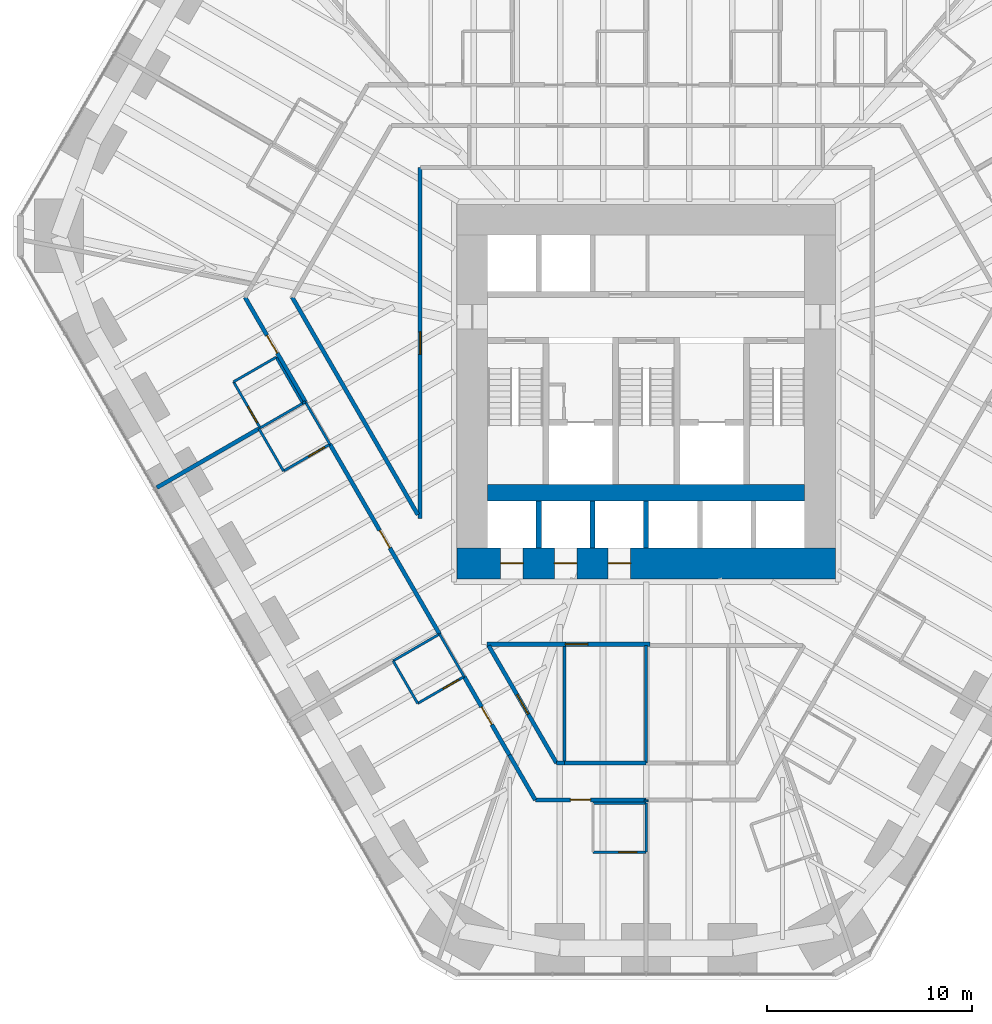
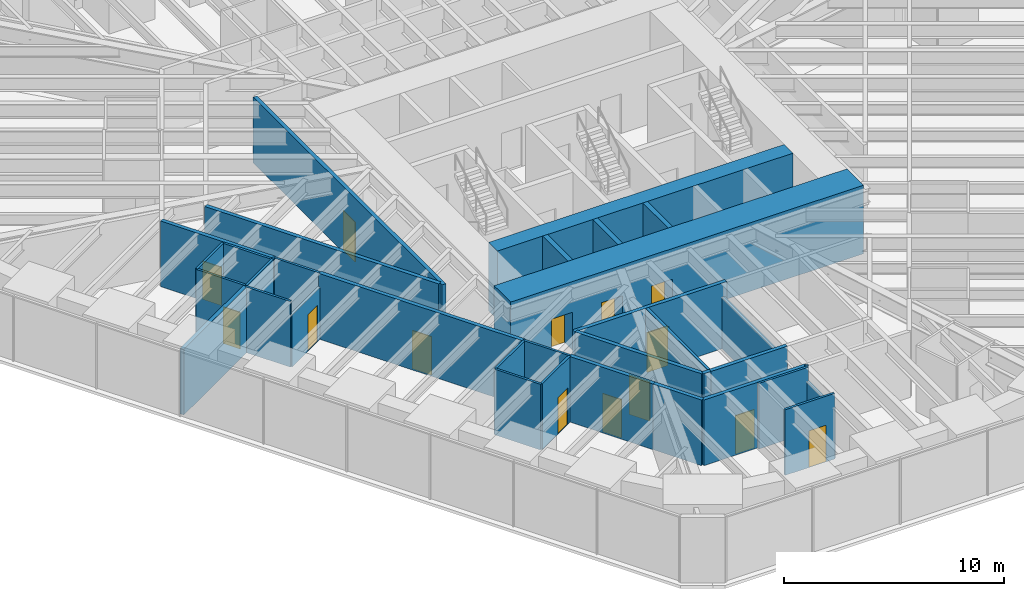
# One storey, part 11 of 17: 35 walls, 14 doors, 14 openings.
"""IFC4 building model written with IfcOpenShell, lengths in metres."""

from ifc_helpers import new_model, si_unit, direction, frame, frame_2d, origin, place, context, subcontext, project, spatial, rectangle, extrude, material, layer, layer_set, type_object, element, fill, save


model = new_model("IFC4")

# Units and contexts
model_context = context("Model", 3, precision=1e-05, world=origin(), true_north=direction((0.0, 1.0)))
body_context = subcontext(model_context, "Body", "Model", "MODEL_VIEW")
ifc_project = project(units=[si_unit("LENGTHUNIT", "METRE"), si_unit("AREAUNIT", "SQUARE_METRE"), si_unit("VOLUMEUNIT", "CUBIC_METRE"), si_unit("PLANEANGLEUNIT", "RADIAN"), si_unit("MASSUNIT", "GRAM", prefix="KILO")], contexts=[model_context])

# Site, building, storey
site_placement = place(None, origin())
site = spatial("IfcSite", under=ifc_project, at=site_placement, CompositionType="ELEMENT")
building_placement = place(site_placement, origin())
building = spatial("IfcBuilding", under=site, at=building_placement, Name="Sandreach Pilgrim Tower", CompositionType="ELEMENT")
storey_placement = place(building_placement, frame((0.0, 0.0, 45.800048828125)))
storey = spatial("IfcBuildingStorey", under=building, at=storey_placement, Name="L10", CompositionType="ELEMENT", Elevation=45.800048828125)

# Walls
ifc_material_1 = material(Name="Gypsum board on steel studs", Category="steel")
ifc_layer_1 = layer(ifc_material_1, 0.14990234375)
ifc_layer_set_1 = layer_set([ifc_layer_1], Name="Back of house wall 150")
wall_type_1 = type_object("IfcWallType", Name="Back of house wall 150", PredefinedType="PARTITIONING", material=ifc_layer_set_1)
wall_1_placement = place(storey_placement, frame((-4.0, -14.0, 0.0), z_axis=(0.0, 0.0, 1.0), x_axis=(0.0, -1.0, 0.0)))
element("IfcWall", 1, at=wall_1_placement, inside=storey, type_object=wall_type_1, Name="Back of house wall L10-051", PredefinedType="PARTITIONING", context=body_context, shape_type="SweptSolid", body=[
    extrude(rectangle(XDim=5.7099609375, YDim=0.14990234375, at=frame_2d((2.85498046875, 0.0))), origin(), (0.0, 0.0, 1.0), 3.639892578125),
])
wall_2_placement = place(storey_placement, frame((0.0, -13.949951171875, 0.0), z_axis=(0.0, 0.0, 1.0), x_axis=(0.0, -1.0, 0.0)))
element("IfcWall", 2, at=wall_2_placement, inside=storey, type_object=wall_type_1, Name="Back of house wall L10-062", PredefinedType="PARTITIONING", context=body_context, shape_type="SweptSolid", body=[
    extrude(rectangle(XDim=5.760009765625, YDim=0.14990234375, at=frame_2d((2.8798828125, 0.0))), origin(), (0.0, 0.0, 1.0), 2.860107421875),
])

# Wall, opening, door
ifc_material_2 = material(Name="Moisture-resistant gypsum board on steel studs", Category="steel")
ifc_layer_2 = layer(ifc_material_2, 0.1201171875)
ifc_layer_set_2 = layer_set([ifc_layer_2], Name="Bathroom partition 120")
wall_type_2 = type_object("IfcWallType", Name="Bathroom partition 120", PredefinedType="PARTITIONING", material=ifc_layer_set_2)
wall_3_placement = place(storey_placement, frame((-20.169921875, -1.070068359375, 0.0), z_axis=(0.0, 0.0, 1.0), x_axis=(0.500291685314, -0.865856933682, 0.0)))
wall_3 = element("IfcWall", 3, at=wall_3_placement, inside=storey, type_object=wall_type_2, Name="Bathroom partition L10-004", PredefinedType="PARTITIONING", context=body_context, shape_type="SweptSolid", body=[
    extrude(rectangle(XDim=2.5986328125, YDim=0.1201171875, at=frame_2d((1.29931640625, 0.0))), origin(), (0.0, 0.0, 1.0), 3.639892578125),
])
opening_1_placement = place(wall_3_placement, frame((1.398681640625, 0.0, 0.0)))
opening_1 = element("IfcOpeningElement", 4, at=opening_1_placement, cuts=wall_3, Name="Opening D09-14B", PredefinedType="OPENING", context=body_context, shape_type="SweptSolid", body=[
    extrude(rectangle(XDim=0.89990234375, YDim=2.030029296875, at=frame_2d((0.449951171875, 1.01513671875))), frame((0.0, 0.06005859375, 0.0), z_axis=(0.0, -1.0, 0.0), x_axis=(1.0, 0.0, 0.0)), (0.0, 0.0, 1.0), 0.1201171875),
])
ifc_material_3 = material(Name="Timber door, steel frame", Category="steel")
door_type_1 = type_object("IfcDoorType", Name="Bathroom door", OperationType="SINGLE_SWING_LEFT", PredefinedType="DOOR", material=ifc_material_3)
door_1_placement = place(opening_1_placement, origin())
door_1 = element("IfcDoor", 5, at=door_1_placement, inside=storey, type_object=door_type_1, Name="Door 1014B", OperationType="SINGLE_SWING_RIGHT", OverallHeight=2.030029296875, OverallWidth=0.89990234375, PredefinedType="DOOR", context=body_context, shape_type="SweptSolid", body=[
    extrude(rectangle(XDim=0.89990234375, YDim=2.030029296875, at=frame_2d((0.449951171875, 1.01513671875))), frame((0.0, 0.02490234375, 0.0), z_axis=(0.0, -1.0, 0.0), x_axis=(1.0, 0.0, 0.0)), (0.0, 0.0, 1.0), 0.050048828125),
])
fill(opening_1, door_1)

# Walls
wall_4_placement = place(storey_placement, frame((-18.929931640625, -3.360107421875, 0.0), z_axis=(0.0, 0.0, 1.0), x_axis=(0.501547039172, -0.865130376012, 0.0)))
element("IfcWall", 6, at=wall_4_placement, inside=storey, type_object=wall_type_2, Name="Bathroom partition L10-009", PredefinedType="PARTITIONING", context=body_context, shape_type="SweptSolid", body=[
    extrude(rectangle(XDim=2.392578125, YDim=0.1201171875, at=frame_2d((1.1962890625, 0.0))), origin(), (0.0, 0.0, 1.0), 3.639892578125),
])
wall_5_placement = place(storey_placement, frame((-18.86767578125, -3.323974609375, 0.0), z_axis=(0.0, 0.0, 1.0), x_axis=(0.866133109688, 0.499813401482, 0.0)))
element("IfcWall", 7, at=wall_5_placement, inside=storey, type_object=wall_type_2, Name="Bathroom partition L10-010", PredefinedType="PARTITIONING", context=body_context, shape_type="SweptSolid", body=[
    extrude(rectangle(XDim=2.4013671875, YDim=0.1201171875, at=frame_2d((1.20068359375, 0.0))), origin(), (0.0, 0.0, 1.0), 3.639892578125),
])
wall_6_placement = place(storey_placement, frame((-18.090087890625, 0.1298828125, 0.0), z_axis=(0.0, 0.0, 1.0), x_axis=(-0.866177122335, -0.499737123639, 0.0)))
element("IfcWall", 8, at=wall_6_placement, inside=storey, type_object=wall_type_2, Name="Bathroom partition L10-013", PredefinedType="PARTITIONING", context=body_context, shape_type="SweptSolid", body=[
    extrude(rectangle(XDim=2.401123046875, YDim=0.1201171875, at=frame_2d((1.20068359375, 0.0))), origin(), (0.0, 0.0, 1.0), 3.639892578125),
])

# Wall, opening, door
wall_7_placement = place(storey_placement, frame((-17.72998046875, -5.429931640625, 0.0), z_axis=(0.0, 0.0, 1.0), x_axis=(0.866114241029, 0.499846097802, 0.0)))
wall_7 = element("IfcWall", 9, at=wall_7_placement, inside=storey, type_object=wall_type_2, Name="Bathroom partition L10-014", PredefinedType="PARTITIONING", context=body_context, shape_type="SweptSolid", body=[
    extrude(rectangle(XDim=2.620849609375, YDim=0.1201171875, at=frame_2d((1.310546875, 0.0))), origin(), (0.0, 0.0, 1.0), 2.8779296875),
])
opening_2_placement = place(wall_7_placement, frame((1.4208984375, 0.0, 0.0)))
opening_2 = element("IfcOpeningElement", 10, at=opening_2_placement, cuts=wall_7, Name="Opening D09-13B", PredefinedType="OPENING", context=body_context, shape_type="SweptSolid", body=[
    extrude(rectangle(XDim=0.89990234375, YDim=2.030029296875, at=frame_2d((0.449951171875, 1.01513671875))), frame((0.0, 0.06005859375, 0.0), z_axis=(0.0, -1.0, 0.0), x_axis=(1.0, 0.0, 0.0)), (0.0, 0.0, 1.0), 0.1201171875),
])
door_2_placement = place(opening_2_placement, origin())
door_2 = element("IfcDoor", 11, at=door_2_placement, inside=storey, type_object=door_type_1, Name="Door 1013B", OperationType="SINGLE_SWING_RIGHT", OverallHeight=2.030029296875, OverallWidth=0.89990234375, PredefinedType="DOOR", context=body_context, shape_type="SweptSolid", body=[
    extrude(rectangle(XDim=0.89990234375, YDim=2.030029296875, at=frame_2d((0.449951171875, 1.01513671875))), frame((0.0, 0.02490234375, 0.0), z_axis=(0.0, -1.0, 0.0), x_axis=(1.0, 0.0, 0.0)), (0.0, 0.0, 1.0), 0.050048828125),
])
fill(opening_2, door_2)

# Walls
wall_8_placement = place(storey_placement, frame((-16.7900390625, -2.1201171875, 0.0), z_axis=(0.0, 0.0, 1.0), x_axis=(-0.50025099007, 0.865880446098, 0.0)))
element("IfcWall", 12, at=wall_8_placement, inside=storey, type_object=wall_type_2, Name="Bathroom partition L10-019", PredefinedType="PARTITIONING", context=body_context, shape_type="SweptSolid", body=[
    extrude(rectangle(XDim=2.598876953125, YDim=0.1201171875, at=frame_2d((1.29931640625, 0.0))), origin(), (0.0, 0.0, 1.0), 3.639892578125),
])
wall_9_placement = place(storey_placement, frame((-16.787841796875, -2.123779296875, 0.0), z_axis=(0.0, 0.0, 1.0), x_axis=(0.866405716731, 0.499340699338, 0.0)))
element("IfcWall", 13, at=wall_9_placement, inside=storey, type_object=wall_type_2, Name="Bathroom partition L10-020", PredefinedType="PARTITIONING", context=body_context, shape_type="SweptSolid", body=[
    extrude(rectangle(XDim=0.147705078125, YDim=0.1201171875, at=frame_2d((0.07373046875, 0.0))), origin(), (0.0, 0.0, 1.0), 3.639892578125),
])
wall_10_placement = place(storey_placement, frame((-16.659912109375, -2.050048828125, 0.0), z_axis=(0.0, 0.0, 1.0), x_axis=(0.501502765098, -0.865156041763, 0.0)))
element("IfcWall", 14, at=wall_10_placement, inside=storey, type_object=wall_type_2, Name="Bathroom partition L10-021", PredefinedType="PARTITIONING", context=body_context, shape_type="SweptSolid", body=[
    extrude(rectangle(XDim=2.392822265625, YDim=0.1201171875, at=frame_2d((1.1962890625, 0.0))), origin(), (0.0, 0.0, 1.0), 3.639892578125),
])
wall_11_placement = place(storey_placement, frame((-12.3701171875, -14.7099609375, 0.0), z_axis=(0.0, 0.0, 1.0), x_axis=(0.499769390944, -0.866158505053, 0.0)))
element("IfcWall", 15, at=wall_11_placement, inside=storey, type_object=wall_type_2, Name="Bathroom partition L10-028", PredefinedType="PARTITIONING", context=body_context, shape_type="SweptSolid", body=[
    extrude(rectangle(XDim=2.401611328125, YDim=0.1201171875, at=frame_2d((1.20068359375, 0.0))), origin(), (0.0, 0.0, 1.0), 3.639892578125),
])
wall_12_placement = place(storey_placement, frame((-12.3701171875, -14.7099609375, 0.0), z_axis=(0.0, 0.0, 1.0), x_axis=(0.866114241029, 0.499846097802, 0.0)))
element("IfcWall", 16, at=wall_12_placement, inside=storey, type_object=wall_type_2, Name="Bathroom partition L10-029", PredefinedType="PARTITIONING", context=body_context, shape_type="SweptSolid", body=[
    extrude(rectangle(XDim=2.620849609375, YDim=0.1201171875, at=frame_2d((1.310546875, 0.0))), origin(), (0.0, 0.0, 1.0), 3.639892578125),
])

# Wall, opening, door
wall_13_placement = place(storey_placement, frame((-11.169921875, -16.7900390625, 0.0), z_axis=(0.0, 0.0, 1.0), x_axis=(0.866114241029, 0.499846097802, 0.0)))
wall_13 = element("IfcWall", 17, at=wall_13_placement, inside=storey, type_object=wall_type_2, Name="Bathroom partition L10-032", PredefinedType="PARTITIONING", context=body_context, shape_type="SweptSolid", body=[
    extrude(rectangle(XDim=2.620849609375, YDim=0.1201171875, at=frame_2d((1.310546875, 0.0))), origin(), (0.0, 0.0, 1.0), 3.639892578125),
])
opening_3_placement = place(wall_13_placement, frame((1.4208984375, 0.0, 0.0)))
opening_3 = element("IfcOpeningElement", 18, at=opening_3_placement, cuts=wall_13, Name="Opening D09-12B", PredefinedType="OPENING", context=body_context, shape_type="SweptSolid", body=[
    extrude(rectangle(XDim=0.89990234375, YDim=2.030029296875, at=frame_2d((0.449951171875, 1.01513671875))), frame((0.0, 0.06005859375, 0.0), z_axis=(0.0, -1.0, 0.0), x_axis=(1.0, 0.0, 0.0)), (0.0, 0.0, 1.0), 0.1201171875),
])
door_3_placement = place(opening_3_placement, origin())
door_3 = element("IfcDoor", 19, at=door_3_placement, inside=storey, type_object=door_type_1, Name="Door 1012B", OperationType="SINGLE_SWING_RIGHT", OverallHeight=2.030029296875, OverallWidth=0.89990234375, PredefinedType="DOOR", context=body_context, shape_type="SweptSolid", body=[
    extrude(rectangle(XDim=0.89990234375, YDim=2.030029296875, at=frame_2d((0.449951171875, 1.01513671875))), frame((0.0, 0.02490234375, 0.0), z_axis=(0.0, -1.0, 0.0), x_axis=(1.0, 0.0, 0.0)), (0.0, 0.0, 1.0), 0.050048828125),
])
fill(opening_3, door_3)

# Wall
wall_14_placement = place(storey_placement, frame((-10.10009765625, -13.39990234375, 0.0), z_axis=(0.0, 0.0, 1.0), x_axis=(0.499769390944, -0.866158505053, 0.0)))
element("IfcWall", 20, at=wall_14_placement, inside=storey, type_object=wall_type_2, Name="Bathroom partition L10-036", PredefinedType="PARTITIONING", context=body_context, shape_type="SweptSolid", body=[
    extrude(rectangle(XDim=2.401611328125, YDim=0.1201171875, at=frame_2d((1.20068359375, 0.0))), origin(), (0.0, 0.0, 1.0), 3.639892578125),
])

# Wall, opening, door
wall_15_placement = place(storey_placement, frame((-2.60009765625, -24.06005859375, 0.0), z_axis=(0.0, 0.0, 1.0), x_axis=(1.0, 0.0, 0.0)))
wall_15 = element("IfcWall", 21, at=wall_15_placement, inside=storey, type_object=wall_type_2, Name="Bathroom partition L10-052", PredefinedType="PARTITIONING", context=body_context, shape_type="SweptSolid", body=[
    extrude(rectangle(XDim=2.60009765625, YDim=0.1201171875, at=frame_2d((1.300048828125, 0.0))), origin(), (0.0, 0.0, 1.0), 3.639892578125),
])
opening_4_placement = place(wall_15_placement, frame((1.25, 0.0, 0.0)))
opening_4 = element("IfcOpeningElement", 22, at=opening_4_placement, cuts=wall_15, Name="Opening D09-11B", PredefinedType="OPENING", context=body_context, shape_type="SweptSolid", body=[
    extrude(rectangle(XDim=0.89990234375, YDim=2.030029296875, at=frame_2d((0.449951171875, 1.01513671875))), frame((0.0, 0.06005859375, 0.0), z_axis=(0.0, -1.0, 0.0), x_axis=(1.0, 0.0, 0.0)), (0.0, 0.0, 1.0), 0.1201171875),
])
door_4_placement = place(opening_4_placement, origin())
door_4 = element("IfcDoor", 23, at=door_4_placement, inside=storey, type_object=door_type_1, Name="Door 1011B", OperationType="SINGLE_SWING_RIGHT", OverallHeight=2.030029296875, OverallWidth=0.89990234375, PredefinedType="DOOR", context=body_context, shape_type="SweptSolid", body=[
    extrude(rectangle(XDim=0.89990234375, YDim=2.030029296875, at=frame_2d((0.449951171875, 1.01513671875))), frame((0.0, 0.02490234375, 0.0), z_axis=(0.0, -1.0, 0.0), x_axis=(1.0, 0.0, 0.0)), (0.0, 0.0, 1.0), 0.050048828125),
])
fill(opening_4, door_4)

# Walls
wall_16_placement = place(storey_placement, frame((0.0, -24.06005859375, 0.0), z_axis=(0.0, 0.0, 1.0), x_axis=(0.0, 1.0, 0.0)))
element("IfcWall", 24, at=wall_16_placement, inside=storey, type_object=wall_type_2, Name="Bathroom partition L10-057", PredefinedType="PARTITIONING", context=body_context, shape_type="SweptSolid", body=[
    extrude(rectangle(XDim=2.400146484375, YDim=0.1201171875, at=frame_2d((1.2001953125, 0.0))), origin(), (0.0, 0.0, 1.0), 2.860107421875),
])
wall_17_placement = place(storey_placement, frame((0.0, -21.659912109375, 0.0), z_axis=(0.0, 0.0, 1.0), x_axis=(-1.0, 0.0, 0.0)))
element("IfcWall", 25, at=wall_17_placement, inside=storey, type_object=wall_type_2, Name="Bathroom partition L10-058", PredefinedType="PARTITIONING", context=body_context, shape_type="SweptSolid", body=[
    extrude(rectangle(XDim=2.60009765625, YDim=0.1201171875, at=frame_2d((1.300048828125, 0.0))), origin(), (0.0, 0.0, 1.0), 3.639892578125),
])
ifc_material_4 = material(Name="Concrete 10000 psi", Category="concrete")
ifc_layer_3 = layer(ifc_material_4, 0.800048828125)
ifc_layer_set_3 = layer_set([ifc_layer_3], Name="Core mid wall 800")
wall_type_3 = type_object("IfcWallType", Name="Core mid wall 800", PredefinedType="SHEAR", material=ifc_layer_set_3)
wall_18_placement = place(storey_placement, frame((-7.75, -6.5, 0.0), z_axis=(0.0, 0.0, 1.0), x_axis=(1.0, 0.0, 0.0)))
element("IfcWall", 26, at=wall_18_placement, inside=storey, type_object=wall_type_3, Name="Core wall M L10", PredefinedType="SHEAR", context=body_context, shape_type="SweptSolid", body=[
    extrude(rectangle(XDim=15.5, YDim=0.800048828125, at=frame_2d((7.75, 0.0))), origin(), (0.0, 0.0, 1.0), 3.800048828125),
])

# Wall, openings, doors
ifc_material_5 = material(Name="Concrete 10000 psi", Category="concrete")
ifc_layer_4 = layer(ifc_material_5, 1.5)
ifc_layer_set_4 = layer_set([ifc_layer_4], Name="Core wall 1500")
wall_type_4 = type_object("IfcWallType", Name="Core wall 1500", PredefinedType="SHEAR", material=ifc_layer_set_4)
wall_19_placement = place(storey_placement, frame((-9.25, -9.949951171875, 0.0), z_axis=(0.0, 0.0, 1.0), x_axis=(1.0, 0.0, 0.0)))
wall_19 = element("IfcWall", 27, at=wall_19_placement, inside=storey, type_object=wall_type_4, Name="Core wall S L10", PredefinedType="SHEAR", context=body_context, shape_type="SweptSolid", body=[
    extrude(rectangle(XDim=18.5, YDim=1.5, at=frame_2d((9.25, 0.0))), origin(), (0.0, 0.0, 1.0), 3.800048828125),
])
opening_5_placement = place(wall_19_placement, frame((2.137451171875, 0.0, 0.0)))
opening_5 = element("IfcOpeningElement", 28, at=opening_5_placement, cuts=wall_19, Name="Opening LD11", PredefinedType="OPENING", context=body_context, shape_type="SweptSolid", body=[
    extrude(rectangle(XDim=1.10009765625, YDim=2.10009765625, at=frame_2d((0.550048828125, 1.050048828125))), frame((0.0, 0.75, 0.0), z_axis=(0.0, -1.0, 0.0), x_axis=(1.0, 0.0, 0.0)), (0.0, 0.0, 1.0), 1.5),
])
opening_6_placement = place(wall_19_placement, frame((4.762451171875, 0.0, 0.0)))
opening_6 = element("IfcOpeningElement", 29, at=opening_6_placement, cuts=wall_19, Name="Opening LD11", PredefinedType="OPENING", context=body_context, shape_type="SweptSolid", body=[
    extrude(rectangle(XDim=1.10009765625, YDim=2.10009765625, at=frame_2d((0.550048828125, 1.050048828125))), frame((0.0, 0.75, 0.0), z_axis=(0.0, -1.0, 0.0), x_axis=(1.0, 0.0, 0.0)), (0.0, 0.0, 1.0), 1.5),
])
opening_7_placement = place(wall_19_placement, frame((7.387451171875, 0.0, 0.0)))
opening_7 = element("IfcOpeningElement", 30, at=opening_7_placement, cuts=wall_19, Name="Opening LD11", PredefinedType="OPENING", context=body_context, shape_type="SweptSolid", body=[
    extrude(rectangle(XDim=1.10009765625, YDim=2.10009765625, at=frame_2d((0.550048828125, 1.050048828125))), frame((0.0, 0.75, 0.0), z_axis=(0.0, -1.0, 0.0), x_axis=(1.0, 0.0, 0.0)), (0.0, 0.0, 1.0), 1.5),
])
ifc_material_6 = material(Name="Steel door and frame", Category="steel")
door_type_2 = type_object("IfcDoorType", Name="Lift landing door", OperationType="DOUBLE_DOOR_SLIDING", PredefinedType="DOOR", material=ifc_material_6)
door_5_placement = place(opening_5_placement, origin())
door_5 = element("IfcDoor", 31, at=door_5_placement, inside=storey, type_object=door_type_2, Name="Lift landing door Z1A L10", OperationType="DOUBLE_DOOR_SLIDING", OverallHeight=2.10009765625, OverallWidth=1.10009765625, PredefinedType="DOOR", context=body_context, shape_type="SweptSolid", body=[
    extrude(rectangle(XDim=1.10009765625, YDim=2.10009765625, at=frame_2d((0.550048828125, 1.050048828125))), frame((0.0, 0.02490234375, 0.0), z_axis=(0.0, -1.0, 0.0), x_axis=(1.0, 0.0, 0.0)), (0.0, 0.0, 1.0), 0.050048828125),
])
fill(opening_5, door_5)
door_6_placement = place(opening_6_placement, origin())
door_6 = element("IfcDoor", 32, at=door_6_placement, inside=storey, type_object=door_type_2, Name="Lift landing door Z1B L10", OperationType="DOUBLE_DOOR_SLIDING", OverallHeight=2.10009765625, OverallWidth=1.10009765625, PredefinedType="DOOR", context=body_context, shape_type="SweptSolid", body=[
    extrude(rectangle(XDim=1.10009765625, YDim=2.10009765625, at=frame_2d((0.550048828125, 1.050048828125))), frame((0.0, 0.02490234375, 0.0), z_axis=(0.0, -1.0, 0.0), x_axis=(1.0, 0.0, 0.0)), (0.0, 0.0, 1.0), 0.050048828125),
])
fill(opening_6, door_6)
door_7_placement = place(opening_7_placement, origin())
door_7 = element("IfcDoor", 33, at=door_7_placement, inside=storey, type_object=door_type_2, Name="Lift landing door Z1C L10", OperationType="DOUBLE_DOOR_SLIDING", OverallHeight=2.10009765625, OverallWidth=1.10009765625, PredefinedType="DOOR", context=body_context, shape_type="SweptSolid", body=[
    extrude(rectangle(XDim=1.10009765625, YDim=2.10009765625, at=frame_2d((0.550048828125, 1.050048828125))), frame((0.0, 0.02490234375, 0.0), z_axis=(0.0, -1.0, 0.0), x_axis=(1.0, 0.0, 0.0)), (0.0, 0.0, 1.0), 0.050048828125),
])
fill(opening_7, door_7)

# Wall, opening, door
ifc_material_7 = material(Name="Gypsum board on steel studs, two layers each side", Category="steel")
ifc_layer_5 = layer(ifc_material_7, 0.199951171875)
ifc_layer_set_5 = layer_set([ifc_layer_5], Name="Corridor wall 200")
wall_type_5 = type_object("IfcWallType", Name="Corridor wall 200", PredefinedType="PARTITIONING", material=ifc_layer_set_5)
wall_20_placement = place(storey_placement, frame((-19.610107421875, 3.06005859375, 0.0), z_axis=(0.0, 0.0, 1.0), x_axis=(0.499983910424, -0.866034692906, 0.0)))
wall_20 = element("IfcWall", 34, at=wall_20_placement, inside=storey, type_object=wall_type_5, Name="Corridor wall L10-006", PredefinedType="PARTITIONING", context=body_context, shape_type="SweptSolid", body=[
    extrude(rectangle(XDim=5.900634765625, YDim=0.199951171875, at=frame_2d((2.9501953125, 0.0))), origin(), (0.0, 0.0, 1.0), 3.639892578125),
])
opening_8_placement = place(wall_20_placement, frame((2.14990234375, 0.0, 0.0)))
opening_8 = element("IfcOpeningElement", 35, at=opening_8_placement, cuts=wall_20, Name="Opening D10-14", PredefinedType="OPENING", context=body_context, shape_type="SweptSolid", body=[
    extrude(rectangle(XDim=1.0, YDim=2.1298828125, at=frame_2d((0.5, 1.06494140625))), frame((0.0, 0.10009765625, 0.0), z_axis=(0.0, -1.0, 0.0), x_axis=(1.0, 0.0, 0.0)), (0.0, 0.0, 1.0), 0.199951171875),
])
ifc_material_8 = material(Name="Steel door and frame", Category="steel")
door_type_3 = type_object("IfcDoorType", Name="Guest room entry door", OperationType="SINGLE_SWING_LEFT", PredefinedType="DOOR", material=ifc_material_8)
door_8_placement = place(opening_8_placement, origin())
door_8 = element("IfcDoor", 36, at=door_8_placement, inside=storey, type_object=door_type_3, Name="Door 1014", OperationType="SINGLE_SWING_LEFT", OverallHeight=2.1298828125, OverallWidth=1.0, PredefinedType="DOOR", context=body_context, shape_type="SweptSolid", body=[
    extrude(rectangle(XDim=1.0, YDim=2.1298828125, at=frame_2d((0.5, 1.06494140625))), frame((0.0, 0.02490234375, 0.0), z_axis=(0.0, -1.0, 0.0), x_axis=(1.0, 0.0, 0.0)), (0.0, 0.0, 1.0), 0.050048828125),
])
fill(opening_8, door_8)

wall_21_placement = place(storey_placement, frame((-15.4599609375, -4.1201171875, 0.0), z_axis=(0.0, 0.0, 1.0), x_axis=(0.500152338955, -0.865937432981, 0.0)))
wall_21 = element("IfcWall", 37, at=wall_21_placement, inside=storey, type_object=wall_type_5, Name="Corridor wall L10-025", PredefinedType="PARTITIONING", context=body_context, shape_type="SweptSolid", body=[
    extrude(rectangle(XDim=10.716552734375, YDim=0.199951171875, at=frame_2d((5.3583984375, 0.0))), origin(), (0.0, 0.0, 1.0), 3.639892578125),
])
opening_9_placement = place(wall_21_placement, frame((4.8583984375, 0.0, 0.0)))
opening_9 = element("IfcOpeningElement", 38, at=opening_9_placement, cuts=wall_21, Name="Opening D10-13", PredefinedType="OPENING", context=body_context, shape_type="SweptSolid", body=[
    extrude(rectangle(XDim=1.0, YDim=2.1298828125, at=frame_2d((0.5, 1.06494140625))), frame((0.0, 0.10009765625, 0.0), z_axis=(0.0, -1.0, 0.0), x_axis=(1.0, 0.0, 0.0)), (0.0, 0.0, 1.0), 0.199951171875),
])
door_9_placement = place(opening_9_placement, origin())
door_9 = element("IfcDoor", 39, at=door_9_placement, inside=storey, type_object=door_type_3, Name="Door 1013", OperationType="SINGLE_SWING_LEFT", OverallHeight=2.1298828125, OverallWidth=1.0, PredefinedType="DOOR", context=body_context, shape_type="SweptSolid", body=[
    extrude(rectangle(XDim=1.0, YDim=2.1298828125, at=frame_2d((0.5, 1.06494140625))), frame((0.0, 0.02490234375, 0.0), z_axis=(0.0, -1.0, 0.0), x_axis=(1.0, 0.0, 0.0)), (0.0, 0.0, 1.0), 0.050048828125),
])
fill(opening_9, door_9)

# Wall
wall_22_placement = place(storey_placement, frame((-11.16015625, -7.569580078125, 0.0), z_axis=(0.0, 0.0, 1.0), x_axis=(-0.500175206663, 0.865924224537, 0.0)))
element("IfcWall", 40, at=wall_22_placement, inside=storey, type_object=wall_type_5, Name="Corridor wall L10-033", PredefinedType="PARTITIONING", context=body_context, shape_type="SweptSolid", body=[
    extrude(rectangle(XDim=12.275390625, YDim=0.199951171875, at=frame_2d((6.1376953125, 0.0))), origin(), (0.0, 0.0, 1.0), 3.639892578125),
])

# Wall, opening, door
wall_23_placement = place(storey_placement, frame((-11.050048828125, 9.39990234375, 0.0), z_axis=(0.0, 0.0, 1.0), x_axis=(0.0, -1.0, 0.0)))
wall_23 = element("IfcWall", 41, at=wall_23_placement, inside=storey, type_object=wall_type_5, Name="Corridor wall L10-034", PredefinedType="PARTITIONING", context=body_context, shape_type="SweptSolid", body=[
    extrude(rectangle(XDim=17.159912109375, YDim=0.199951171875, at=frame_2d((8.580078125, 0.0))), origin(), (0.0, 0.0, 1.0), 3.639892578125),
])
opening_10_placement = place(wall_23_placement, frame((8.030029296875, 0.0, 0.0)))
opening_10 = element("IfcOpeningElement", 42, at=opening_10_placement, cuts=wall_23, Name="Opening D11H-M01", PredefinedType="OPENING", context=body_context, shape_type="SweptSolid", body=[
    extrude(rectangle(XDim=1.10009765625, YDim=2.199951171875, at=frame_2d((0.550048828125, 1.10009765625))), frame((0.0, 0.10009765625, 0.0), z_axis=(0.0, -1.0, 0.0), x_axis=(1.0, 0.0, 0.0)), (0.0, 0.0, 1.0), 0.199951171875),
])
ifc_material_9 = material(Name="Steel door and frame", Category="steel")
door_type_4 = type_object("IfcDoorType", Name="Back of house door", OperationType="SINGLE_SWING_LEFT", PredefinedType="DOOR", material=ifc_material_9)
door_10_placement = place(opening_10_placement, origin())
door_10 = element("IfcDoor", 43, at=door_10_placement, inside=storey, type_object=door_type_4, Name="Door 10M01", OperationType="SINGLE_SWING_LEFT", OverallHeight=2.199951171875, OverallWidth=1.10009765625, PredefinedType="DOOR", context=body_context, shape_type="SweptSolid", body=[
    extrude(rectangle(XDim=1.10009765625, YDim=2.199951171875, at=frame_2d((0.550048828125, 1.10009765625))), frame((0.0, 0.02490234375, 0.0), z_axis=(0.0, -1.0, 0.0), x_axis=(1.0, 0.0, 0.0)), (0.0, 0.0, 1.0), 0.050048828125),
])
fill(opening_10, door_10)

wall_24_placement = place(storey_placement, frame((-8.89990234375, -15.47998046875, 0.0), z_axis=(0.0, 0.0, 1.0), x_axis=(0.499773435832, -0.866156171159, 0.0)))
wall_24 = element("IfcWall", 44, at=wall_24_placement, inside=storey, type_object=wall_type_5, Name="Corridor wall L10-039", PredefinedType="PARTITIONING", context=body_context, shape_type="SweptSolid", body=[
    extrude(rectangle(XDim=4.421875, YDim=0.199951171875, at=frame_2d((2.2109375, 0.0))), origin(), (0.0, 0.0, 1.0), 3.639892578125),
])
opening_11_placement = place(wall_24_placement, frame((1.7109375, 0.0, 0.0)))
opening_11 = element("IfcOpeningElement", 45, at=opening_11_placement, cuts=wall_24, Name="Opening D10-12", PredefinedType="OPENING", context=body_context, shape_type="SweptSolid", body=[
    extrude(rectangle(XDim=1.0, YDim=2.1298828125, at=frame_2d((0.5, 1.06494140625))), frame((0.0, 0.10009765625, 0.0), z_axis=(0.0, -1.0, 0.0), x_axis=(1.0, 0.0, 0.0)), (0.0, 0.0, 1.0), 0.199951171875),
])
door_11_placement = place(opening_11_placement, origin())
door_11 = element("IfcDoor", 46, at=door_11_placement, inside=storey, type_object=door_type_3, Name="Door 1012", OperationType="SINGLE_SWING_LEFT", OverallHeight=2.1298828125, OverallWidth=1.0, PredefinedType="DOOR", context=body_context, shape_type="SweptSolid", body=[
    extrude(rectangle(XDim=1.0, YDim=2.1298828125, at=frame_2d((0.5, 1.06494140625))), frame((0.0, 0.02490234375, 0.0), z_axis=(0.0, -1.0, 0.0), x_axis=(1.0, 0.0, 0.0)), (0.0, 0.0, 1.0), 0.050048828125),
])
fill(opening_11, door_11)

# Wall
wall_25_placement = place(storey_placement, frame((-6.68994140625, -19.31005859375, 0.0), z_axis=(0.0, 0.0, 1.0), x_axis=(0.499963722229, -0.866046347752, 0.0)))
element("IfcWall", 47, at=wall_25_placement, inside=storey, type_object=wall_type_5, Name="Corridor wall L10-043", PredefinedType="PARTITIONING", context=body_context, shape_type="SweptSolid", body=[
    extrude(rectangle(XDim=2.540283203125, YDim=0.199951171875, at=frame_2d((1.27001953125, 0.0))), origin(), (0.0, 0.0, 1.0), 3.639892578125),
])

# Wall, opening, door
wall_26_placement = place(storey_placement, frame((-5.419921875, -21.510009765625, 0.0), z_axis=(0.0, 0.0, 1.0), x_axis=(1.0, 0.0, 0.0)))
wall_26 = element("IfcWall", 48, at=wall_26_placement, inside=storey, type_object=wall_type_5, Name="Corridor wall L10-048", PredefinedType="PARTITIONING", context=body_context, shape_type="SweptSolid", body=[
    extrude(rectangle(XDim=5.419921875, YDim=0.199951171875, at=frame_2d((2.7099609375, 0.0))), origin(), (0.0, 0.0, 1.0), 3.639892578125),
])
opening_12_placement = place(wall_26_placement, frame((1.7099609375, 0.0, 0.0)))
opening_12 = element("IfcOpeningElement", 49, at=opening_12_placement, cuts=wall_26, Name="Opening D10-11", PredefinedType="OPENING", context=body_context, shape_type="SweptSolid", body=[
    extrude(rectangle(XDim=1.0, YDim=2.1298828125, at=frame_2d((0.5, 1.06494140625))), frame((0.0, 0.10009765625, 0.0), z_axis=(0.0, -1.0, 0.0), x_axis=(1.0, 0.0, 0.0)), (0.0, 0.0, 1.0), 0.199951171875),
])
door_12_placement = place(opening_12_placement, origin())
door_12 = element("IfcDoor", 50, at=door_12_placement, inside=storey, type_object=door_type_3, Name="Door 1011", OperationType="SINGLE_SWING_LEFT", OverallHeight=2.1298828125, OverallWidth=1.0, PredefinedType="DOOR", context=body_context, shape_type="SweptSolid", body=[
    extrude(rectangle(XDim=1.0, YDim=2.1298828125, at=frame_2d((0.5, 1.06494140625))), frame((0.0, 0.02490234375, 0.0), z_axis=(0.0, -1.0, 0.0), x_axis=(1.0, 0.0, 0.0)), (0.0, 0.0, 1.0), 0.050048828125),
])
fill(opening_12, door_12)

wall_27_placement = place(storey_placement, frame((-4.3798828125, -19.7099609375, 0.0), z_axis=(0.0, 0.0, 1.0), x_axis=(-0.500523653757, 0.865722860984, 0.0)))
wall_27 = element("IfcWall", 51, at=wall_27_placement, inside=storey, type_object=wall_type_5, Name="Corridor wall L10-049", PredefinedType="PARTITIONING", context=body_context, shape_type="SweptSolid", body=[
    extrude(rectangle(XDim=6.62841796875, YDim=0.199951171875, at=frame_2d((3.314208984375, 0.0))), origin(), (0.0, 0.0, 1.0), 3.639892578125),
])
opening_13_placement = place(wall_27_placement, frame((2.76416015625, 0.0, 0.0)))
opening_13 = element("IfcOpeningElement", 52, at=opening_13_placement, cuts=wall_27, Name="Opening D11H-S1", PredefinedType="OPENING", context=body_context, shape_type="SweptSolid", body=[
    extrude(rectangle(XDim=1.10009765625, YDim=2.199951171875, at=frame_2d((0.550048828125, 1.10009765625))), frame((0.0, 0.10009765625, 0.0), z_axis=(0.0, -1.0, 0.0), x_axis=(1.0, 0.0, 0.0)), (0.0, 0.0, 1.0), 0.199951171875),
])
door_13_placement = place(opening_13_placement, origin())
door_13 = element("IfcDoor", 53, at=door_13_placement, inside=storey, type_object=door_type_4, Name="Door 10S1", OperationType="SINGLE_SWING_LEFT", OverallHeight=2.199951171875, OverallWidth=1.10009765625, PredefinedType="DOOR", context=body_context, shape_type="SweptSolid", body=[
    extrude(rectangle(XDim=1.10009765625, YDim=2.199951171875, at=frame_2d((0.550048828125, 1.10009765625))), frame((0.0, 0.02490234375, 0.0), z_axis=(0.0, -1.0, 0.0), x_axis=(1.0, 0.0, 0.0)), (0.0, 0.0, 1.0), 0.050048828125),
])
fill(opening_13, door_13)

# Walls
wall_28_placement = place(storey_placement, frame((-4.0, -19.7099609375, 0.0), z_axis=(0.0, 0.0, 1.0), x_axis=(-1.0, 0.0, 0.0)))
element("IfcWall", 54, at=wall_28_placement, inside=storey, type_object=wall_type_5, Name="Corridor wall L10-050", PredefinedType="PARTITIONING", context=body_context, shape_type="SweptSolid", body=[
    extrude(rectangle(XDim=0.3798828125, YDim=0.199951171875, at=frame_2d((0.18994140625, 0.0))), origin(), (0.0, 0.0, 1.0), 3.639892578125),
])
wall_29_placement = place(storey_placement, frame((0.0, -19.7099609375, 0.0), z_axis=(0.0, 0.0, 1.0), x_axis=(-1.0, 0.0, 0.0)))
element("IfcWall", 55, at=wall_29_placement, inside=storey, type_object=wall_type_5, Name="Corridor wall L10-061", PredefinedType="PARTITIONING", context=body_context, shape_type="SweptSolid", body=[
    extrude(rectangle(XDim=4.0, YDim=0.199951171875, at=frame_2d((2.0, 0.0))), origin(), (0.0, 0.0, 1.0), 3.639892578125),
])

# Wall, opening, door
wall_30_placement = place(storey_placement, frame((0.179931640625, -13.89990234375, 0.0), z_axis=(0.0, 0.0, 1.0), x_axis=(-1.0, 0.0, 0.0)))
wall_30 = element("IfcWall", 56, at=wall_30_placement, inside=storey, type_object=wall_type_5, Name="Corridor wall L10-071", PredefinedType="PARTITIONING", context=body_context, shape_type="SweptSolid", body=[
    extrude(rectangle(XDim=7.969970703125, YDim=0.199951171875, at=frame_2d((3.98486328125, 0.0))), origin(), (0.0, 0.0, 1.0), 3.639892578125),
])
opening_14_placement = place(wall_30_placement, frame((3.034912109375, 0.0, 0.0)))
opening_14 = element("IfcOpeningElement", 57, at=opening_14_placement, cuts=wall_30, Name="Opening D11H-S2", PredefinedType="OPENING", context=body_context, shape_type="SweptSolid", body=[
    extrude(rectangle(XDim=1.10009765625, YDim=2.199951171875, at=frame_2d((0.550048828125, 1.10009765625))), frame((0.0, 0.10009765625, 0.0), z_axis=(0.0, -1.0, 0.0), x_axis=(1.0, 0.0, 0.0)), (0.0, 0.0, 1.0), 0.199951171875),
])
door_14_placement = place(opening_14_placement, origin())
door_14 = element("IfcDoor", 58, at=door_14_placement, inside=storey, type_object=door_type_4, Name="Door 10S2", OperationType="SINGLE_SWING_LEFT", OverallHeight=2.199951171875, OverallWidth=1.10009765625, PredefinedType="DOOR", context=body_context, shape_type="SweptSolid", body=[
    extrude(rectangle(XDim=1.10009765625, YDim=2.199951171875, at=frame_2d((0.550048828125, 1.10009765625))), frame((0.0, 0.02490234375, 0.0), z_axis=(0.0, -1.0, 0.0), x_axis=(1.0, 0.0, 0.0)), (0.0, 0.0, 1.0), 0.050048828125),
])
fill(opening_14, door_14)

# Walls
ifc_material_10 = material(Name="Double steel stud acoustic wall, gypsum board", Category="steel")
ifc_layer_6 = layer(ifc_material_10, 0.199951171875)
ifc_layer_set_6 = layer_set([ifc_layer_6], Name="Party wall 200")
wall_type_6 = type_object("IfcWallType", Name="Party wall 200", PredefinedType="PARTITIONING", material=ifc_layer_set_6)
wall_31_placement = place(storey_placement, frame((-23.916015625, -6.239990234375, 0.0), z_axis=(0.0, 0.0, 1.0), x_axis=(0.865919350456, 0.50018364478, 0.0)))
element("IfcWall", 59, at=wall_31_placement, inside=storey, type_object=wall_type_6, Name="Party wall L10-003", PredefinedType="PARTITIONING", context=body_context, shape_type="SweptSolid", body=[
    extrude(rectangle(XDim=5.758056640625, YDim=0.199951171875, at=frame_2d((2.87890625, 0.0))), origin(), (0.0, 0.0, 1.0), 3.639892578125),
])
wall_32_placement = place(storey_placement, frame((0.0, -21.60009765625, 0.0), z_axis=(0.0, 0.0, 1.0), x_axis=(0.0, 1.0, 0.0)))
element("IfcWall", 60, at=wall_32_placement, inside=storey, type_object=wall_type_6, Name="Party wall L10-059", PredefinedType="PARTITIONING", context=body_context, shape_type="SweptSolid", body=[
    extrude(rectangle(XDim=0.090087890625, YDim=0.199951171875, at=frame_2d((0.044921875, 0.0))), origin(), (0.0, 0.0, 1.0), 3.639892578125),
])
ifc_material_11 = material(Name="Gypsum shaft wall on steel studs, two layers of shaft liner board", Category="steel")
ifc_layer_7 = layer(ifc_material_11, 0.25)
ifc_layer_set_7 = layer_set([ifc_layer_7], Name="Shaft partition 250")
wall_type_7 = type_object("IfcWallType", Name="Shaft partition 250", PredefinedType="PARTITIONING", material=ifc_layer_set_7)
for number, where, z_axis, x_axis, name in (
    (61, (-5.25, -9.199951171875, 0.0), (0.0, 0.0, 1.0), (0.0, 1.0, 0.0), "Shaft partition XS0 L10"),
    (62, (-2.625, -9.199951171875, 0.0), (0.0, 0.0, 1.0), (0.0, 1.0, 0.0), "Shaft partition XS1 L10"),
    (63, (0.0, -9.199951171875, 0.0), (0.0, 0.0, 1.0), (0.0, 1.0, 0.0), "Shaft partition XS2 L10"),
):
    element("IfcWall", number, at=place(storey_placement, frame(where, z_axis=z_axis, x_axis=x_axis)), inside=storey, type_object=wall_type_7, Name=name, PredefinedType="PARTITIONING", context=body_context, shape_type="SweptSolid", body=[
        extrude(rectangle(XDim=2.300048828125, YDim=0.25, at=frame_2d((1.14990234375, 0.0))), origin(), (0.0, 0.0, 1.0), 3.800048828125),
    ])

save(model, "model.ifc")
